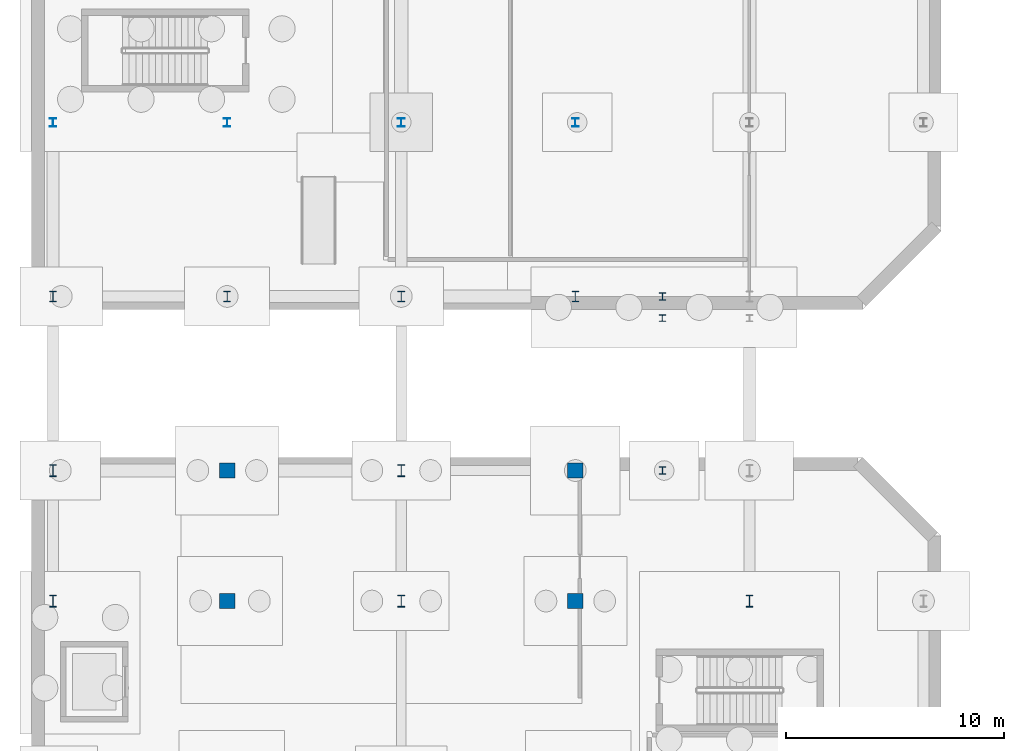
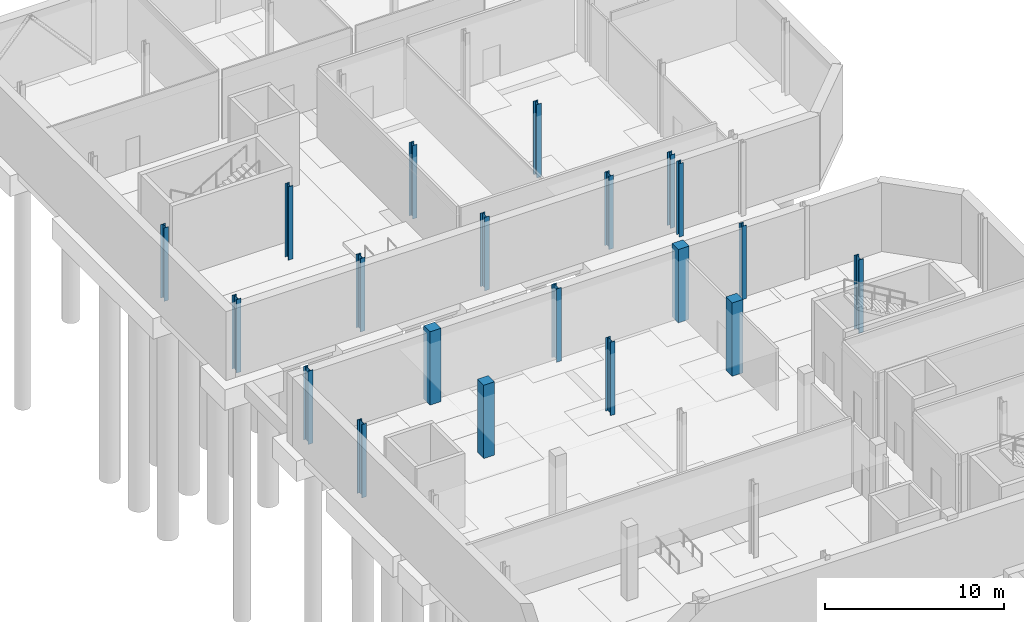
# One storey, part 13 of 47: 20 columns.
"""IFC4 building model written with IfcOpenShell, lengths in metres."""

from ifc_helpers import new_model, si_unit, direction, frame, origin, origin_2d, place, context, subcontext, project, spatial, rectangle, i_section, extrude, material, material_profile, profile_set, type_object, element, save


model = new_model("IFC4")

# Units and contexts
model_context = context("Model", 3, precision=1e-05, world=origin(), true_north=direction((0.0, 1.0)))
body_context = subcontext(model_context, "Body", "Model", "MODEL_VIEW")
ifc_project = project(units=[si_unit("LENGTHUNIT", "METRE"), si_unit("AREAUNIT", "SQUARE_METRE"), si_unit("VOLUMEUNIT", "CUBIC_METRE"), si_unit("PLANEANGLEUNIT", "RADIAN"), si_unit("MASSUNIT", "GRAM", prefix="KILO")], contexts=[model_context])

# Site, building, storey
site_placement = place(None, origin())
site = spatial("IfcSite", under=ifc_project, at=site_placement, CompositionType="ELEMENT")
building_placement = place(site_placement, origin())
building = spatial("IfcBuilding", under=site, at=building_placement, Name="Cymarion Research Institute", CompositionType="ELEMENT")
storey_placement = place(building_placement, frame((0.0, 0.0, -5.0)))
storey = spatial("IfcBuildingStorey", under=building, at=storey_placement, Name="B1", CompositionType="ELEMENT", Elevation=-5.0)

# Columns
ifc_material_1 = material(Name="Steel S355", Category="steel")
ifc_material_profile_1 = material_profile(ifc_material_1, i_section(OverallWidth=0.300048828125, OverallDepth=0.550048828125, WebThickness=0.014892578125, FlangeThickness=0.029052734375, FilletRadius=0.027099609375, at=origin_2d()), Name="HEB 550")
ifc_profile_set_1 = profile_set([ifc_material_profile_1], Name="Steel S355")
column_type_1 = type_object("IfcColumnType", Name="STRUCTURAL COLUMN C03 HEB 550", PredefinedType="COLUMN", material=ifc_profile_set_1)
for number, where, z_axis, x_axis, name in (
    (1, (6.60009765625, 71.5, 0.0), (0.0, 0.0, 1.0), (1.0, 0.0, 0.0), "B1 V4 column C03 #13"),
    (2, (6.60009765625, 77.5, 0.0), (0.0, 0.0, 1.0), (1.0, 0.0, 0.0), "B1 V4 column C03 #14"),
    (3, (22.60009765625, 71.5, 0.0), (0.0, 0.0, 1.0), (1.0, 0.0, 0.0), "B1 V4 column C03 #44"),
    (4, (22.60009765625, 77.5, 0.0), (0.0, 0.0, 1.0), (1.0, 0.0, 0.0), "B1 V4 column C03 #45"),
    (5, (38.60009765625, 71.5, 0.0), (0.0, 0.0, 1.0), (1.0, 0.0, 0.0), "B1 V4 column C03 #81"),
):
    element("IfcColumn", number, at=place(storey_placement, frame(where, z_axis=z_axis, x_axis=x_axis)), inside=storey, type_object=column_type_1, Name=name, PredefinedType="COLUMN", context=body_context, shape_type="SweptSolid", body=[
        extrude(i_section(OverallWidth=0.300048828125, OverallDepth=0.550048828125, WebThickness=0.014892578125, FlangeThickness=0.029052734375, FilletRadius=0.027099609375, at=origin_2d()), origin(), (0.0, 0.0, 1.0), 5.0),
    ])
ifc_material_profile_2 = material_profile(ifc_material_1, i_section(OverallWidth=0.300048828125, OverallDepth=0.5, WebThickness=0.014404296875, FlangeThickness=0.028076171875, FilletRadius=0.027099609375, at=origin_2d()), Name="HEB 500")
ifc_profile_set_2 = profile_set([ifc_material_profile_2], Name="Steel S355")
column_type_2 = type_object("IfcColumnType", Name="STRUCTURAL COLUMN C04 HEB 500", PredefinedType="COLUMN", material=ifc_profile_set_2)
for number, where, z_axis, x_axis, name in (
    (6, (6.60009765625, 85.5, 0.0), (0.0, 0.0, 1.0), (1.0, 0.0, 0.0), "B1 V5 column C04 #15"),
    (7, (14.60009765625, 85.5, 0.0), (0.0, 0.0, 1.0), (1.0, 0.0, 0.0), "B1 V5 column C04 #31"),
    (8, (22.60009765625, 85.5, 0.0), (0.0, 0.0, 1.0), (1.0, 0.0, 0.0), "B1 V5 column C04 #46"),
    (9, (30.60009765625, 85.5, 0.0), (0.0, 0.0, 1.0), (1.0, 0.0, 0.0), "B1 V5 column C04 #62"),
):
    element("IfcColumn", number, at=place(storey_placement, frame(where, z_axis=z_axis, x_axis=x_axis)), inside=storey, type_object=column_type_2, Name=name, PredefinedType="COLUMN", context=body_context, shape_type="SweptSolid", body=[
        extrude(i_section(OverallWidth=0.300048828125, OverallDepth=0.5, WebThickness=0.014404296875, FlangeThickness=0.028076171875, FilletRadius=0.027099609375, at=origin_2d()), origin(), (0.0, 0.0, 1.0), 5.0),
    ])
ifc_material_profile_3 = material_profile(ifc_material_1, i_section(OverallWidth=0.300048828125, OverallDepth=0.360107421875, WebThickness=0.012451171875, FlangeThickness=0.0224609375, FilletRadius=0.027099609375, at=origin_2d()), Name="HEB 360")
ifc_profile_set_3 = profile_set([ifc_material_profile_3], Name="Steel S355")
column_type_3 = type_object("IfcColumnType", Name="STRUCTURAL COLUMN C07 HEB 360", PredefinedType="COLUMN", material=ifc_profile_set_3)
for number, where, z_axis, x_axis, name in (
    (10, (34.60009765625, 77.5, 0.0), (0.0, 0.0, 1.0), (1.0, 0.0, 0.0), "B1 V4 column C07 #68"),
    (11, (34.60009765625, 85.5, 0.0), (0.0, 0.0, 1.0), (1.0, 0.0, 0.0), "B1 V5 column C07 #70"),
):
    element("IfcColumn", number, at=place(storey_placement, frame(where, z_axis=z_axis, x_axis=x_axis)), inside=storey, type_object=column_type_3, Name=name, PredefinedType="COLUMN", context=body_context, shape_type="SweptSolid", body=[
        extrude(i_section(OverallWidth=0.300048828125, OverallDepth=0.360107421875, WebThickness=0.012451171875, FlangeThickness=0.0224609375, FilletRadius=0.027099609375, at=origin_2d()), origin(), (0.0, 0.0, 1.0), 5.0),
    ])
ifc_material_profile_4 = material_profile(ifc_material_1, i_section(OverallWidth=0.300048828125, OverallDepth=0.300048828125, WebThickness=0.010986328125, FlangeThickness=0.01904296875, FilletRadius=0.027099609375, at=origin_2d()), Name="HEB 300")
ifc_profile_set_4 = profile_set([ifc_material_profile_4], Name="Steel S355")
column_type_4 = type_object("IfcColumnType", Name="STRUCTURAL COLUMN C08 HEB 300", PredefinedType="COLUMN", material=ifc_profile_set_4)
column_placement = place(storey_placement, frame((34.60009765625, 84.5, 0.0), z_axis=(0.0, 0.0, 1.0), x_axis=(1.0, 0.0, 0.0)))
element("IfcColumn", 12, at=column_placement, inside=storey, type_object=column_type_4, Name="B1 V4 column C08 #69", PredefinedType="COLUMN", context=body_context, shape_type="SweptSolid", body=[
    extrude(i_section(OverallWidth=0.300048828125, OverallDepth=0.300048828125, WebThickness=0.010986328125, FlangeThickness=0.01904296875, FilletRadius=0.027099609375, at=origin_2d()), origin(), (0.0, 0.0, 1.0), 5.0),
])
ifc_material_profile_5 = material_profile(ifc_material_1, i_section(OverallWidth=0.300048828125, OverallDepth=0.389892578125, WebThickness=0.010986328125, FlangeThickness=0.01904296875, FilletRadius=0.027099609375, at=origin_2d()), Name="HEA 400")
ifc_profile_set_5 = profile_set([ifc_material_profile_5], Name="Steel S355")
column_type_5 = type_object("IfcColumnType", Name="STRUCTURAL COLUMN C11 HEA 400", PredefinedType="COLUMN", material=ifc_profile_set_5)
for number, where, z_axis, x_axis, name in (
    (13, (6.60009765625, 93.5, 0.0), (0.0, 0.0, 1.0), (1.0, 0.0, 0.0), "B1 V5 column C11 #16"),
    (14, (14.60009765625, 93.5, 0.0), (0.0, 0.0, 1.0), (1.0, 0.0, 0.0), "B1 V5 column C11 #32"),
    (15, (22.60009765625, 93.5, 0.0), (0.0, 0.0, 1.0), (1.0, 0.0, 0.0), "B1 V5 column C11 #47"),
    (16, (30.60009765625, 93.5, 0.0), (0.0, 0.0, 1.0), (1.0, 0.0, 0.0), "B1 V5 column C11 #63"),
):
    element("IfcColumn", number, at=place(storey_placement, frame(where, z_axis=z_axis, x_axis=x_axis)), inside=storey, type_object=column_type_5, Name=name, PredefinedType="COLUMN", context=body_context, shape_type="SweptSolid", body=[
        extrude(i_section(OverallWidth=0.300048828125, OverallDepth=0.389892578125, WebThickness=0.010986328125, FlangeThickness=0.01904296875, FilletRadius=0.027099609375, at=origin_2d()), origin(), (0.0, 0.0, 1.0), 5.0),
    ])
ifc_material_2 = material(Name="Concrete C40/50", Category="concrete")
ifc_material_profile_6 = material_profile(ifc_material_2, rectangle(XDim=0.699951171875, YDim=0.699951171875, at=origin_2d()), Name="RC 700x700")
ifc_profile_set_6 = profile_set([ifc_material_profile_6], Name="Concrete C40/50")
column_type_6 = type_object("IfcColumnType", Name="STRUCTURAL COLUMN C17 RC 700x700", PredefinedType="COLUMN", material=ifc_profile_set_6)
for number, where, z_axis, x_axis, name in (
    (17, (14.60009765625, 71.5, 0.0), (0.0, 0.0, 1.0), (1.0, 0.0, 0.0), "B1 V4 column C17 #29"),
    (18, (14.60009765625, 77.5, 0.0), (0.0, 0.0, 1.0), (1.0, 0.0, 0.0), "B1 V4 column C17 #30"),
    (19, (30.60009765625, 71.5, 0.0), (0.0, 0.0, 1.0), (1.0, 0.0, 0.0), "B1 V4 column C17 #60"),
    (20, (30.60009765625, 77.5, 0.0), (0.0, 0.0, 1.0), (1.0, 0.0, 0.0), "B1 V4 column C17 #61"),
):
    element("IfcColumn", number, at=place(storey_placement, frame(where, z_axis=z_axis, x_axis=x_axis)), inside=storey, type_object=column_type_6, Name=name, PredefinedType="COLUMN", context=body_context, shape_type="SweptSolid", body=[
        extrude(rectangle(XDim=0.699951171875, YDim=0.699951171875, at=origin_2d()), origin(), (0.0, 0.0, 1.0), 5.0),
    ])

save(model, "model.ifc")
